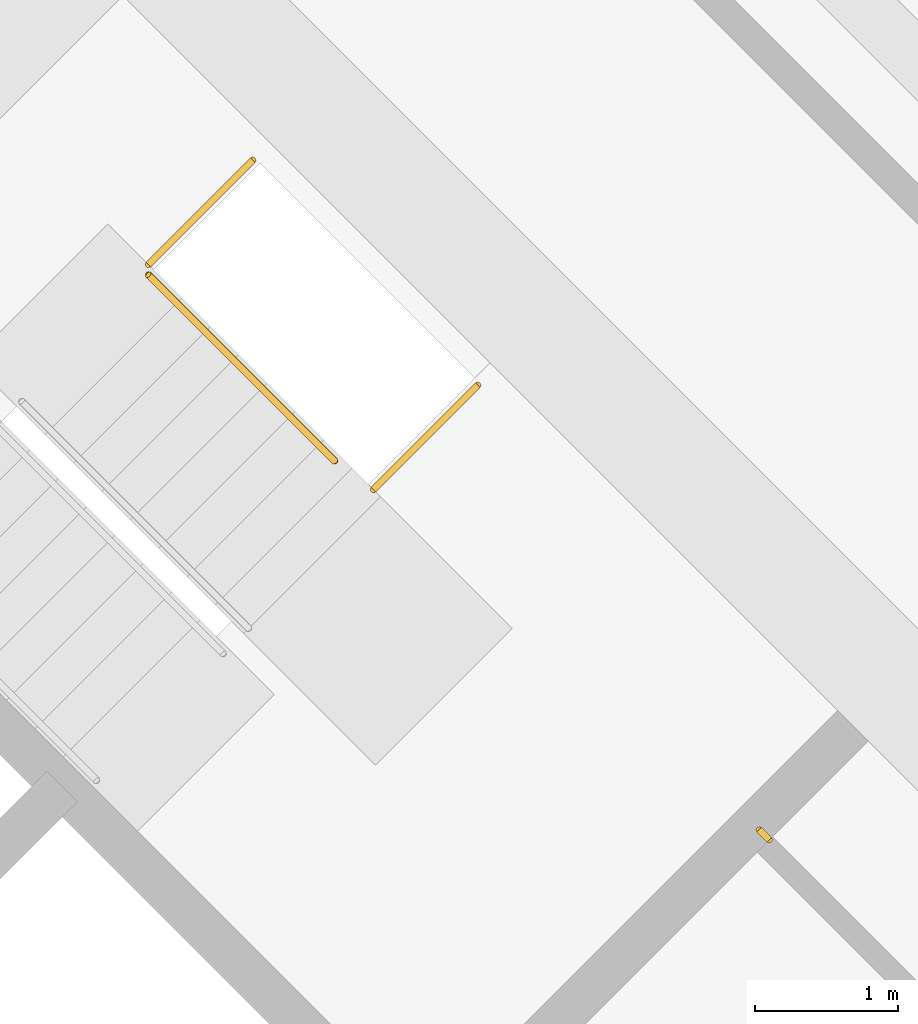
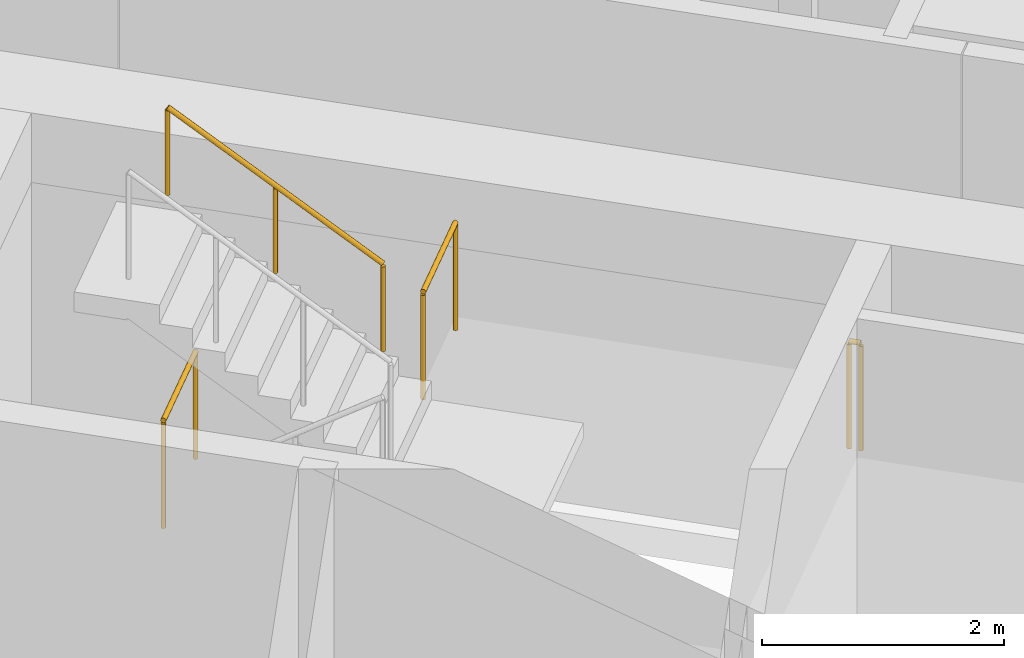
# One storey, part 14 of 14: 4 railings.
"""IFC4 building model written with IfcOpenShell, lengths in metres."""

from ifc_helpers import new_model, si_unit, direction, frame, origin, origin_2d, place, context, subcontext, project, spatial, circle, extrude, material, type_object, element, save


model = new_model("IFC4")

# Units and contexts
model_context = context("Model", 3, precision=1e-05, world=origin(), true_north=direction((0.0, 1.0)))
body_context = subcontext(model_context, "Body", "Model", "MODEL_VIEW")
ifc_project = project(units=[si_unit("LENGTHUNIT", "METRE"), si_unit("AREAUNIT", "SQUARE_METRE"), si_unit("VOLUMEUNIT", "CUBIC_METRE"), si_unit("PLANEANGLEUNIT", "RADIAN"), si_unit("MASSUNIT", "GRAM", prefix="KILO")], contexts=[model_context])

# Site, building, storey
site_placement = place(None, origin())
site = spatial("IfcSite", under=ifc_project, at=site_placement, CompositionType="ELEMENT")
building_placement = place(site_placement, origin())
building = spatial("IfcBuilding", under=site, at=building_placement, Name="Windrow Commons", CompositionType="ELEMENT")
storey_placement = place(building_placement, frame((0.0, 0.0, 118.6)))
storey = spatial("IfcBuildingStorey", under=building, at=storey_placement, Name="L32", CompositionType="ELEMENT", Elevation=118.6)

# Railings
ifc_material_1 = material(Name="Steel S355", Category="steel")
railing_type_1 = type_object("IfcRailingType", Name="Core stair guard 1100", PredefinedType="GUARDRAIL", material=ifc_material_1)
railing_1_placement = place(storey_placement, frame((87.0135, 57.3982, 0.0)))
element("IfcRailing", 1, at=railing_1_placement, inside=storey, type_object=railing_type_1, Name="L32 ST-B1 stair guard 3", PredefinedType="GUARDRAIL", context=body_context, shape_type="SweptSolid", body=[
    extrude(circle(Radius=0.024, at=origin_2d()), frame((0.0, 0.0, 1.076), z_axis=(0.7070582378, 0.7071553212, 0.0), x_axis=(-0.7071553212, 0.7070582378, 0.0)), (0.0, 0.0, 1.0), 1.03),
    extrude(circle(Radius=0.021, at=origin_2d()), origin(), (0.0, 0.0, 1.0), 1.052),
    extrude(circle(Radius=0.021, at=origin_2d()), frame((0.7283, 0.7284, 0.0)), (0.0, 0.0, 1.0), 1.052),
])
railing_2_placement = place(storey_placement, frame((88.5833, 55.8285, 1.7)))
element("IfcRailing", 2, at=railing_2_placement, inside=storey, type_object=railing_type_1, Name="L32 ST-B1 stair guard 4", PredefinedType="GUARDRAIL", context=body_context, shape_type="SweptSolid", body=[
    extrude(circle(Radius=0.024, at=origin_2d()), frame((0.0, 0.0, 1.076), z_axis=(0.7071067812, 0.7071067812, 0.0), x_axis=(-0.7071067812, 0.7071067812, 0.0)), (0.0, 0.0, 1.0), 1.03),
    extrude(circle(Radius=0.021, at=origin_2d()), origin(), (0.0, 0.0, 1.0), 1.052),
    extrude(circle(Radius=0.021, at=origin_2d()), frame((0.7283, 0.7283, 0.0)), (0.0, 0.0, 1.0), 1.052),
])
railing_3_placement = place(storey_placement, frame((91.3446, 53.3854, 1.7)))
element("IfcRailing", 3, at=railing_3_placement, inside=storey, type_object=railing_type_1, Name="L32 ST-B2 stair guard 3", PredefinedType="GUARDRAIL", context=body_context, shape_type="SweptSolid", body=[
    extrude(circle(Radius=0.024, at=origin_2d()), frame((0.0, 0.0, 1.076), z_axis=(-0.7076063266, 0.7066068826, 0.0), x_axis=(-0.7066068826, -0.7076063266, 0.0)), (0.0, 0.0, 1.0), 0.1001),
    extrude(circle(Radius=0.021, at=origin_2d()), origin(), (0.0, 0.0, 1.0), 1.052),
    extrude(circle(Radius=0.021, at=origin_2d()), frame((-0.0708, 0.0707, 0.0)), (0.0, 0.0, 1.0), 1.052),
])
ifc_material_2 = material(Name="Steel S355", Category="steel")
railing_type_2 = type_object("IfcRailingType", Name="Core stair handrail 900", PredefinedType="HANDRAIL", material=ifc_material_2)
railing_4_placement = place(storey_placement, frame((88.3146, 56.0265, 2.1587)))
element("IfcRailing", 4, at=railing_4_placement, inside=storey, type_object=railing_type_2, Name="L32 ST-B1 stair handrail 2", PredefinedType="HANDRAIL", context=body_context, shape_type="SweptSolid", body=[
    extrude(circle(Radius=0.024, at=origin_2d()), frame((0.0, 0.0, 0.876), z_axis=(-0.586206706, 0.5861616513, 0.5592639952), x_axis=(-0.7070796062, -0.7071339551, 0.0)), (0.0, 0.0, 1.0), 2.2195),
    extrude(circle(Radius=0.021, at=origin_2d()), origin(), (0.0, 0.0, 1.0), 0.852),
    extrude(circle(Radius=0.021, at=origin_2d()), frame((-0.6506, 0.6505, 0.6206)), (0.0, 0.0, 1.0), 0.852),
    extrude(circle(Radius=0.021, at=origin_2d()), frame((-1.3011, 1.301, 1.2413)), (0.0, 0.0, 1.0), 0.852),
])

save(model, "model.ifc")
